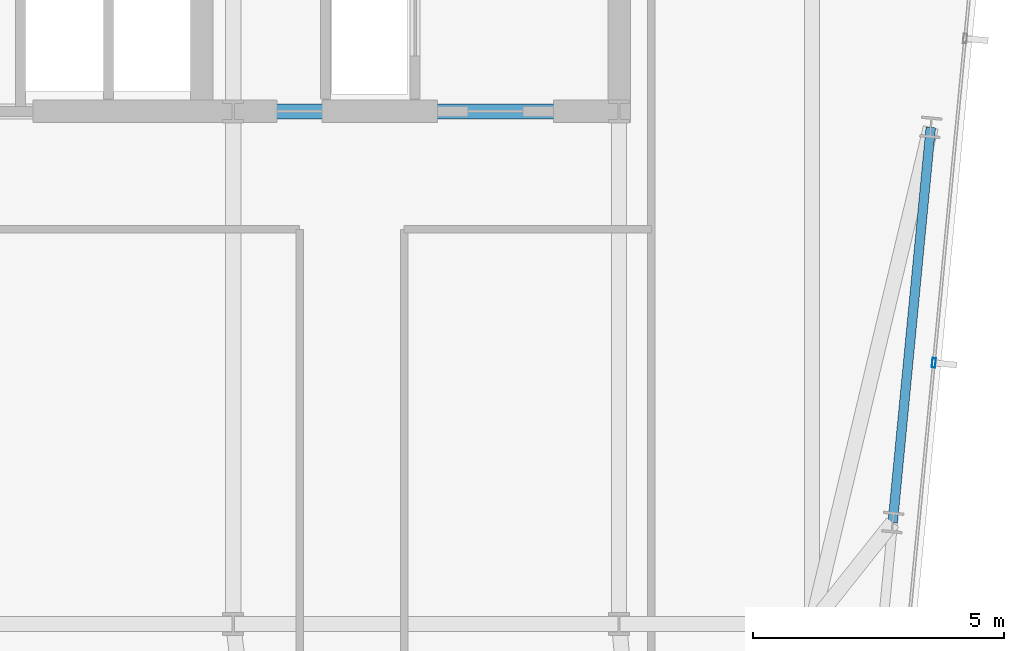
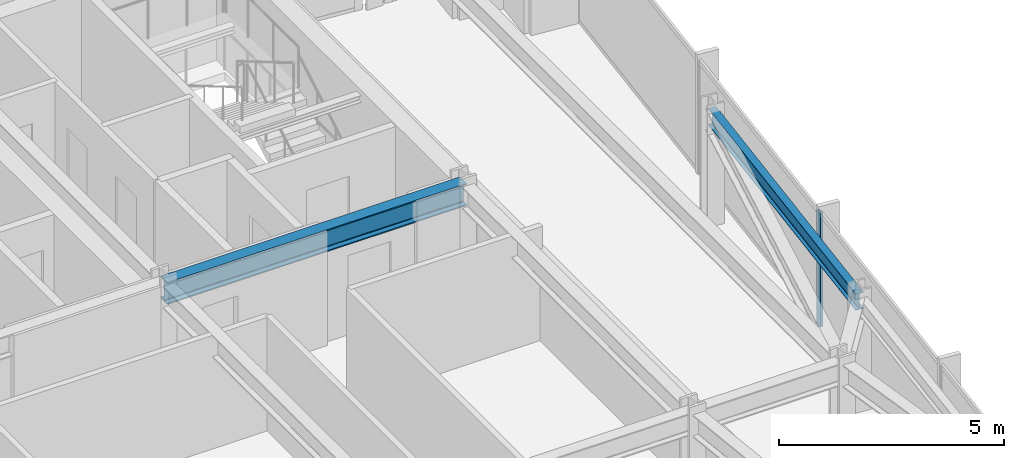
# One storey, part 18 of 36: 2 beams, 1 member, 1 element without a shape of its own.
"""IFC4 building model written with IfcOpenShell, lengths in metres."""

from ifc_helpers import new_model, si_unit, direction, frame, origin, origin_2d, place, context, subcontext, project, spatial, hollow_rectangle, i_section, extrude, material, material_profile, profile_set, type_object, element, aggregate, save


model = new_model("IFC4")

# Units and contexts
model_context = context("Model", 3, precision=1e-05, world=origin(), true_north=direction((0.0, 1.0)))
body_context = subcontext(model_context, "Body", "Model", "MODEL_VIEW")
ifc_project = project(units=[si_unit("LENGTHUNIT", "METRE"), si_unit("AREAUNIT", "SQUARE_METRE"), si_unit("VOLUMEUNIT", "CUBIC_METRE"), si_unit("PLANEANGLEUNIT", "RADIAN"), si_unit("MASSUNIT", "GRAM", prefix="KILO")], contexts=[model_context])

# Site, building, storey
site_placement = place(None, origin())
site = spatial("IfcSite", under=ifc_project, at=site_placement, CompositionType="ELEMENT")
building_placement = place(site_placement, origin())
building = spatial("IfcBuilding", under=site, at=building_placement, Name="Yelkora Congress Tower", CompositionType="ELEMENT")
storey_placement = place(building_placement, frame((0.0, 0.0, 152.300048828125)))
storey = spatial("IfcBuildingStorey", under=building, at=storey_placement, Name="L41", CompositionType="ELEMENT", Elevation=152.300048828125)

# Beams
ifc_material_1 = material(Name="Steel S355J2", Category="steel")
ifc_material_profile_1 = material_profile(ifc_material_1, i_section(OverallWidth=0.300048828125, OverallDepth=0.60009765625, WebThickness=0.015380859375, FlangeThickness=0.030029296875, FilletRadius=0.027099609375, at=origin_2d()), Name="HEB 600")
ifc_profile_set_1 = profile_set([ifc_material_profile_1], Name="Steel S355J2")
beam_type_1 = type_object("IfcBeamType", Name="BM-GIRD-HEB600", PredefinedType="BEAM", material=ifc_profile_set_1)
beam_1_placement = place(storey_placement, frame((46.080078125, 35.39990234375, 2.780029296875), z_axis=(1.0, 0.0, 0.0), x_axis=(0.0, 1.0, 0.0)))
element("IfcBeam", 1, at=beam_1_placement, inside=storey, type_object=beam_type_1, Name="L41 Core South Girder 4", PredefinedType="BEAM", context=body_context, shape_type="SweptSolid", body=[
    extrude(i_section(OverallWidth=0.300048828125, OverallDepth=0.60009765625, WebThickness=0.015380859375, FlangeThickness=0.030029296875, FilletRadius=0.027099609375, at=origin_2d()), origin(), (0.0, 0.0, 1.0), 7.679931640625),
])
ifc_material_profile_2 = material_profile(ifc_material_1, i_section(OverallWidth=0.18994140625, OverallDepth=0.449951171875, WebThickness=0.009521484375, FlangeThickness=0.0146484375, FilletRadius=0.02099609375, at=origin_2d()), Name="IPE 450")
ifc_profile_set_2 = profile_set([ifc_material_profile_2], Name="Steel S355J2")
beam_type_2 = type_object("IfcBeamType", Name="BM-SPAN-IPE450", PredefinedType="SPANDREL", material=ifc_profile_set_2)
beam_2_placement = place(storey_placement, frame((59.206298828125, 27.217529296875, 2.85498046875), z_axis=(0.095834301903, 0.99539730087, 0.0), x_axis=(-0.99539730087, 0.095834301903, 0.0)))
element("IfcBeam", 2, at=beam_2_placement, inside=storey, type_object=beam_type_2, Name="L41 Perimeter Beam 11", PredefinedType="SPANDREL", context=body_context, shape_type="SweptSolid", body=[
    extrude(i_section(OverallWidth=0.18994140625, OverallDepth=0.449951171875, WebThickness=0.009521484375, FlangeThickness=0.0146484375, FilletRadius=0.02099609375, at=origin_2d()), origin(), (0.0, 0.0, 1.0), 7.89990234375),
])

# Curtain wall, member
ifc_material_2 = material(Name="Anodised aluminium and insulated glass", Category="aluminium")
curtain_wall_type = type_object("IfcCurtainWallType", Name="CW-SYS-B3", PredefinedType="NOTDEFINED", material=ifc_material_2)
curtain_wall_placement = place(storey_placement, origin())
curtain_wall = element("IfcCurtainWall", 3, at=curtain_wall_placement, inside=storey, type_object=curtain_wall_type, Name="L41 Unitised Curtain Wall 15", PredefinedType="NOTDEFINED")
ifc_material_3 = material(Name="Anodised aluminium 6063-T6", Category="aluminium")
ifc_material_profile_3 = material_profile(ifc_material_3, hollow_rectangle(XDim=0.070068359375, YDim=0.18994140625, WallThickness=0.00390625, at=origin_2d()), Name="ALU 70x190x4")
ifc_profile_set_3 = profile_set([ifc_material_profile_3], Name="Anodised aluminium 6063-T6")
member_type = type_object("IfcMemberType", Name="MEM-ML-B3", PredefinedType="MULLION", material=ifc_profile_set_3)
member_placement = place(storey_placement, frame((60.024658203125, 30.395751953125, 0.0), z_axis=(0.0, 0.0, 1.0), x_axis=(0.995396565076, -0.095841944023, 0.0)))
member = element("IfcMember", 4, at=member_placement, type_object=member_type, Name="CW-B3 mullion 3", PredefinedType="MULLION", context=body_context, shape_type="SweptSolid", body=[
    extrude(hollow_rectangle(XDim=0.070068359375, YDim=0.18994140625, WallThickness=0.00390625, at=origin_2d()), origin(), (0.0, 0.0, 1.0), 3.079833984375),
])
aggregate(curtain_wall, [member])

save(model, "model.ifc")
